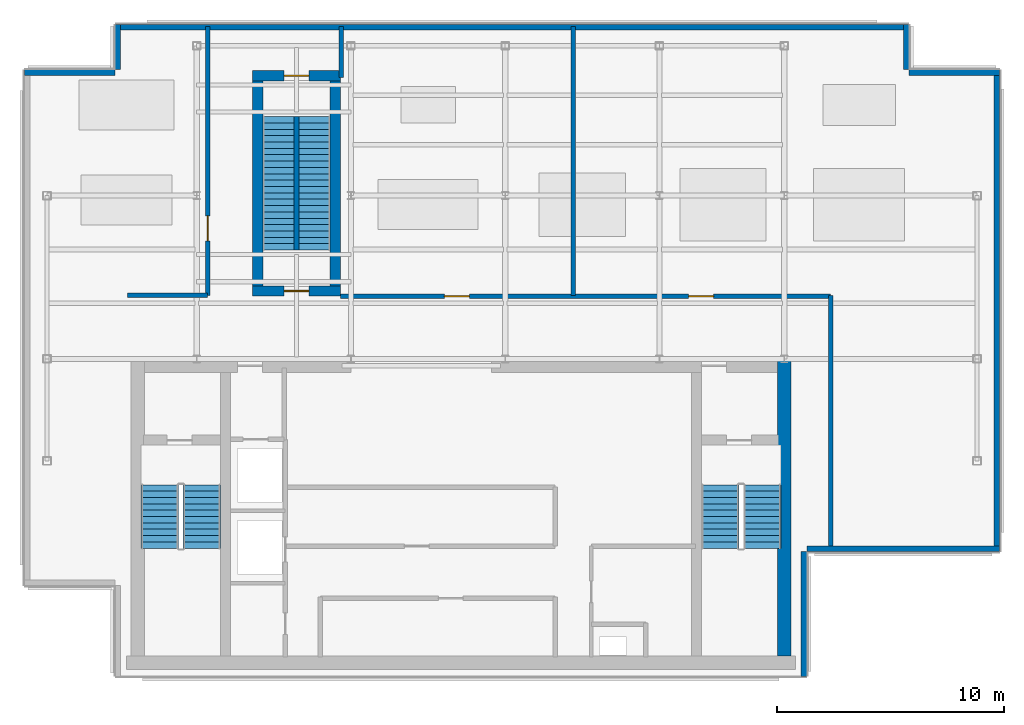
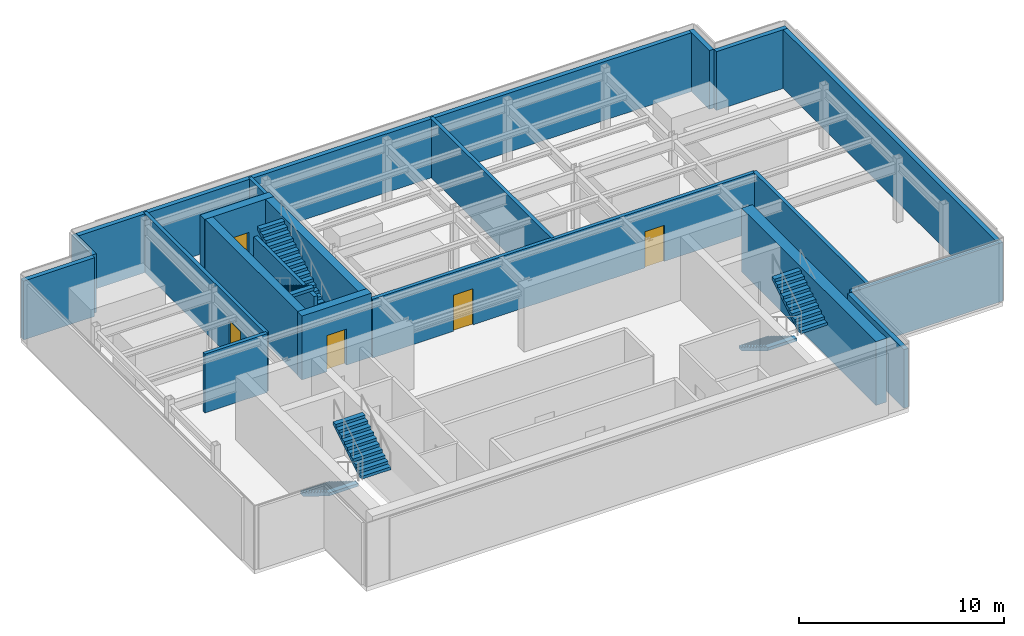
# One storey, part 3 of 7: 20 walls, 6 stair flights, 5 doors, 5 openings, 4 elements without a shape of their own.
"""IFC4 building model written with IfcOpenShell, lengths in metres."""

from ifc_helpers import new_model, si_unit, derived_unit, direction, frame, frame_2d, origin, place, context, subcontext, project, spatial, polyline, rectangle, outline, extrude, source, transform, mapped, material, layer, layer_set, type_object, element, fill, aggregate, save


model = new_model("IFC4")

# Units and contexts
model_context = context("Model", 3, precision=1e-05, world=origin(), true_north=direction((0.0, 1.0)))
body_context = subcontext(model_context, "Body", "Model", "MODEL_VIEW")
ifc_project = project(units=[si_unit("LENGTHUNIT", "METRE"), si_unit("AREAUNIT", "SQUARE_METRE"), si_unit("VOLUMEUNIT", "CUBIC_METRE"), si_unit("PLANEANGLEUNIT", "RADIAN"), si_unit("MASSUNIT", "GRAM", prefix="KILO"), derived_unit("THERMALTRANSMITTANCEUNIT", [(si_unit("POWERUNIT", "WATT"), 1), (si_unit("LENGTHUNIT", "METRE"), -2), (si_unit("THERMODYNAMICTEMPERATUREUNIT", "KELVIN"), -1)])], contexts=[model_context])

# Site, building, storey
site_placement = place(None, origin())
site = spatial("IfcSite", under=ifc_project, at=site_placement, CompositionType="ELEMENT")
building_placement = place(site_placement, origin())
building = spatial("IfcBuilding", under=site, at=building_placement, Name="Skarnbrae Concourse Arena and Tower", CompositionType="ELEMENT")
storey_placement = place(building_placement, frame((0.0, 0.0, 299.85009765625)))
storey = spatial("IfcBuildingStorey", under=building, at=storey_placement, Name="L78", CompositionType="ELEMENT", Elevation=299.85009765625)

# Walls
ifc_material_1 = material(Name="Concrete 50 MPa (C50/60)", Category="concrete")
ifc_layer_1 = layer(ifc_material_1, 0.60009765625)
ifc_layer_set_1 = layer_set([ifc_layer_1], Name="Concrete 50 MPa (C50/60)")
wall_type_1 = type_object("IfcWallType", Name="WALL-CORE-600-C50", PredefinedType="SHEAR", material=ifc_layer_set_1)
shared_shape_1 = source(origin(), body_context, "Body", "SweptSolid", [
    extrude(rectangle(XDim=13.10009765625, YDim=0.60009765625, at=frame_2d((6.550048828125, 0.0))), origin(), (0.0, 0.0, 1.0), 3.7998046875),
])
wall_1_placement = place(storey_placement, frame((33.5, 0.89990234375, 0.0), z_axis=(0.0, 0.0, 1.0), x_axis=(0.0, 1.0, 0.0)))
element("IfcWall", 1, at=wall_1_placement, inside=storey, type_object=wall_type_1, Name="L78 Rear core shear wall CW-E", PredefinedType="SHEAR", context=body_context, shape_type="MappedRepresentation", body=[
    mapped(shared_shape_1, transform((0.0, 0.0, 0.0))),
])
ifc_material_2 = material(Name="Precast concrete 40 MPa (C40/50)", Category="concrete")
ifc_layer_2 = layer(ifc_material_2, 0.25)
ifc_layer_set_2 = layer_set([ifc_layer_2], Name="Precast concrete 40 MPa (C40/50)")
wall_type_2 = type_object("IfcWallType", Name="WALL-CROWN-BRONZE-250", PredefinedType="STANDARD", material=ifc_layer_set_2)
shared_shape_2 = source(origin(), body_context, "Body", "SweptSolid", [
    extrude(rectangle(XDim=5.5, YDim=0.25, at=frame_2d((2.75, 0.0))), origin(), (0.0, 0.0, 1.0), 3.5),
])
wall_2_placement = place(storey_placement, frame((34.375, 0.0, 0.0), z_axis=(0.0, 0.0, 1.0), x_axis=(0.0, 1.0, 0.0)))
element("IfcWall", 2, at=wall_2_placement, inside=storey, type_object=wall_type_2, Name="L78 Crown enclosure wall 02", PredefinedType="STANDARD", context=body_context, shape_type="MappedRepresentation", body=[
    mapped(shared_shape_2, transform((0.0, 0.0, 0.0))),
])
shared_shape_3 = source(origin(), body_context, "Body", "SweptSolid", [
    extrude(rectangle(XDim=8.5, YDim=0.25, at=frame_2d((4.25, 0.0))), origin(), (0.0, 0.0, 1.0), 3.5),
])
wall_3_placement = place(storey_placement, frame((34.5, 5.625, 0.0), z_axis=(0.0, 0.0, 1.0), x_axis=(1.0, 0.0, 0.0)))
element("IfcWall", 3, at=wall_3_placement, inside=storey, type_object=wall_type_2, Name="L78 Crown enclosure wall 03", PredefinedType="STANDARD", context=body_context, shape_type="MappedRepresentation", body=[
    mapped(shared_shape_3, transform((0.0, 0.0, 0.0))),
])
shared_shape_4 = source(origin(), body_context, "Body", "SweptSolid", [
    extrude(rectangle(XDim=21.25, YDim=0.25, at=frame_2d((10.625, 0.0))), origin(), (0.0, 0.0, 1.0), 3.5),
])
wall_4_placement = place(storey_placement, frame((42.875, 5.5, 0.0), z_axis=(0.0, 0.0, 1.0), x_axis=(0.0, 1.0, 0.0)))
element("IfcWall", 4, at=wall_4_placement, inside=storey, type_object=wall_type_2, Name="L78 Crown enclosure wall 04", PredefinedType="STANDARD", context=body_context, shape_type="MappedRepresentation", body=[
    mapped(shared_shape_4, transform((0.0, 0.0, 0.0))),
])
shared_shape_5 = source(origin(), body_context, "Body", "SweptSolid", [
    extrude(rectangle(XDim=4.0, YDim=0.25, at=frame_2d((2.0, 0.0))), origin(), (0.0, 0.0, 1.0), 3.5),
])
for number, where, z_axis, x_axis, name in (
    (5, (43.0, 26.625, 0.0), (0.0, 0.0, 1.0), (-1.0, 0.0, 0.0), "L78 Crown enclosure wall 05"),
    (6, (4.0, 26.625, 0.0), (0.0, 0.0, 1.0), (-1.0, 0.0, 0.0), "L78 Crown enclosure wall 09"),
):
    element("IfcWall", number, at=place(storey_placement, frame(where, z_axis=z_axis, x_axis=x_axis)), inside=storey, type_object=wall_type_2, Name=name, PredefinedType="STANDARD", context=body_context, shape_type="MappedRepresentation", body=[
        mapped(shared_shape_5, transform((0.0, 0.0, 0.0))),
    ])
shared_shape_6 = source(origin(), body_context, "Body", "SweptSolid", [
    extrude(rectangle(XDim=2.0, YDim=0.25, at=frame_2d((1.0, 0.0))), origin(), (0.0, 0.0, 1.0), 3.5),
])
for number, where, z_axis, x_axis, name in (
    (7, (38.875, 26.75, 0.0), (0.0, 0.0, 1.0), (0.0, 1.0, 0.0), "L78 Crown enclosure wall 06"),
    (8, (4.125, 28.75, 0.0), (0.0, 0.0, 1.0), (0.0, -1.0, 0.0), "L78 Crown enclosure wall 08"),
):
    element("IfcWall", number, at=place(storey_placement, frame(where, z_axis=z_axis, x_axis=x_axis)), inside=storey, type_object=wall_type_2, Name=name, PredefinedType="STANDARD", context=body_context, shape_type="MappedRepresentation", body=[
        mapped(shared_shape_6, transform((0.0, 0.0, 0.0))),
    ])
shared_shape_7 = source(origin(), body_context, "Body", "SweptSolid", [
    extrude(rectangle(XDim=35.0, YDim=0.25, at=frame_2d((17.5, 0.0))), origin(), (0.0, 0.0, 1.0), 3.5),
])
wall_5_placement = place(storey_placement, frame((39.0, 28.625, 0.0), z_axis=(0.0, 0.0, 1.0), x_axis=(-1.0, 0.0, 0.0)))
element("IfcWall", 9, at=wall_5_placement, inside=storey, type_object=wall_type_2, Name="L78 Crown enclosure wall 07", PredefinedType="STANDARD", context=body_context, shape_type="MappedRepresentation", body=[
    mapped(shared_shape_7, transform((0.0, 0.0, 0.0))),
])
ifc_material_3 = material(Name="Gypsum board on cold-formed steel studs", Category="steel")
ifc_layer_3 = layer(ifc_material_3, 0.199951171875)
ifc_layer_set_3 = layer_set([ifc_layer_3], Name="Gypsum board on cold-formed steel studs")
wall_type_3 = type_object("IfcWallType", Name="WALL-PART-200-2HR", PredefinedType="PARTITIONING", material=ifc_layer_set_3)
shared_shape_8 = source(origin(), body_context, "Body", "SweptSolid", [
    extrude(rectangle(XDim=5.8798828125, YDim=0.199951171875, at=frame_2d((2.93994140625, 0.0))), origin(), (0.0, 0.0, 1.0), 3.079833984375),
])
wall_6_placement = place(storey_placement, frame((12.0, 18.800048828125, 0.0), z_axis=(0.0, 0.0, 1.0), x_axis=(0.0, 1.0, 0.0)))
element("IfcWall", 10, at=wall_6_placement, inside=storey, type_object=wall_type_3, Name="L78 Scissor stair dividing wall ST-CRWN", PredefinedType="PARTITIONING", context=body_context, shape_type="MappedRepresentation", body=[
    mapped(shared_shape_8, transform((0.0, 0.0, 0.0))),
])

# Wall, opening, door
ifc_layer_4 = layer(ifc_material_1, 0.449951171875)
ifc_layer_set_4 = layer_set([ifc_layer_4], Name="Concrete 50 MPa (C50/60)")
wall_type_4 = type_object("IfcWallType", Name="WALL-CORE-450-C50", PredefinedType="SHEAR", material=ifc_layer_set_4)
shared_shape_9 = source(origin(), body_context, "Body", "SweptSolid", [
    extrude(rectangle(XDim=3.89990234375, YDim=0.449951171875, at=frame_2d((1.949951171875, 0.0))), origin(), (0.0, 0.0, 1.0), 3.7998046875),
])
wall_7_placement = place(storey_placement, frame((10.050048828125, 16.9951171875, 0.0), z_axis=(0.0, 0.0, 1.0), x_axis=(1.0, 0.0, 0.0)))
wall_7 = element("IfcWall", 11, at=wall_7_placement, inside=storey, type_object=wall_type_4, Name="L78 Protected stair shaft wall ST-CRWN-S", PredefinedType="SHEAR", context=body_context, shape_type="MappedRepresentation", body=[
    mapped(shared_shape_9, transform((0.0, 0.0, 0.0))),
])
opening_1_placement = place(wall_7_placement, frame((1.39990234375, 0.0, 0.0)))
opening_1 = element("IfcOpeningElement", 12, at=opening_1_placement, cuts=wall_7, Name="Opening DT-03", PredefinedType="OPENING", context=body_context, shape_type="SweptSolid", body=[
    extrude(rectangle(XDim=1.10009765625, YDim=2.14990234375, at=frame_2d((0.550048828125, 1.074951171875))), frame((0.0, 0.23486328125, 0.0), z_axis=(0.0, -1.0, 0.0), x_axis=(1.0, 0.0, 0.0)), (0.0, 0.0, 1.0), 0.469970703125),
])
ifc_material_4 = material(Name="Steel CSA G40.21 350W", Category="steel")
door_type = type_object("IfcDoorType", Name="DOOR-FIRE-1100-90M", OperationType="NOTDEFINED", PredefinedType="DOOR", material=ifc_material_4)
shared_shape_10 = source(origin(), body_context, "Body", "SweptSolid", [
    extrude(rectangle(XDim=1.10009765625, YDim=2.14990234375, at=frame_2d((0.550048828125, 1.074951171875))), frame((0.0, 0.02490234375, 0.0), z_axis=(0.0, -1.0, 0.0), x_axis=(1.0, 0.0, 0.0)), (0.0, 0.0, 1.0), 0.050048828125),
])
door_1_placement = place(opening_1_placement, origin())
door_1 = element("IfcDoor", 13, at=door_1_placement, inside=storey, type_object=door_type, Name="D-2336 Exit Stair ST-CRWN Door", OperationType="SINGLE_SWING_LEFT", OverallHeight=2.14990234375, OverallWidth=1.10009765625, PredefinedType="DOOR", context=body_context, shape_type="MappedRepresentation", body=[
    mapped(shared_shape_10, transform((0.0, 0.0, 0.0))),
])
fill(opening_1, door_1)

wall_8_placement = place(storey_placement, frame((10.050048828125, 26.485107421875, 0.0), z_axis=(0.0, 0.0, 1.0), x_axis=(1.0, 0.0, 0.0)))
wall_8 = element("IfcWall", 14, at=wall_8_placement, inside=storey, type_object=wall_type_4, Name="L78 Protected stair shaft wall ST-CRWN-N", PredefinedType="SHEAR", context=body_context, shape_type="MappedRepresentation", body=[
    mapped(shared_shape_9, transform((0.0, 0.0, 0.0))),
])
opening_2_placement = place(wall_8_placement, frame((1.39990234375, 0.0, 0.0)))
opening_2 = element("IfcOpeningElement", 15, at=opening_2_placement, cuts=wall_8, Name="Opening DT-03", PredefinedType="OPENING", context=body_context, shape_type="SweptSolid", body=[
    extrude(rectangle(XDim=1.10009765625, YDim=2.14990234375, at=frame_2d((0.550048828125, 1.074951171875))), frame((0.0, 0.23486328125, 0.0), z_axis=(0.0, -1.0, 0.0), x_axis=(1.0, 0.0, 0.0)), (0.0, 0.0, 1.0), 0.469970703125),
])
door_2_placement = place(opening_2_placement, frame((1.10009765625, 0.0, 0.0), z_axis=(0.0, 0.0, 1.0), x_axis=(-1.0, 0.0, 0.0)))
door_2 = element("IfcDoor", 16, at=door_2_placement, inside=storey, type_object=door_type, Name="D-2337 Exit Stair ST-CRWN North Door", OperationType="SINGLE_SWING_RIGHT", OverallHeight=2.14990234375, OverallWidth=1.10009765625, PredefinedType="DOOR", context=body_context, shape_type="MappedRepresentation", body=[
    mapped(shared_shape_10, transform((0.0, 0.0, 0.0))),
])
fill(opening_2, door_2)

# Walls
shared_shape_11 = source(origin(), body_context, "Body", "SweptSolid", [
    extrude(rectangle(XDim=9.080078125, YDim=0.449951171875, at=frame_2d((4.5400390625, 0.0))), origin(), (0.0, 0.0, 1.0), 3.7998046875),
])
for number, where, z_axis, x_axis, name in (
    (17, (10.294921875, 17.199951171875, 0.0), (0.0, 0.0, 1.0), (0.0, 1.0, 0.0), "L78 Protected stair shaft wall ST-CRWN-W"),
    (18, (13.705078125, 17.199951171875, 0.0), (0.0, 0.0, 1.0), (0.0, 1.0, 0.0), "L78 Protected stair shaft wall ST-CRWN-E"),
):
    element("IfcWall", number, at=place(storey_placement, frame(where, z_axis=z_axis, x_axis=x_axis)), inside=storey, type_object=wall_type_4, Name=name, PredefinedType="SHEAR", context=body_context, shape_type="MappedRepresentation", body=[
        mapped(shared_shape_11, transform((0.0, 0.0, 0.0))),
    ])

# Wall, opening, door
shared_shape_12 = source(origin(), body_context, "Body", "SweptSolid", [
    extrude(rectangle(XDim=11.849853515625, YDim=0.199951171875, at=frame_2d((5.9248046875, 0.0))), origin(), (0.0, 0.0, 1.0), 3.5),
])
wall_9_placement = place(storey_placement, frame((8.080078125, 16.800048828125, 0.0), z_axis=(0.0, 0.0, 1.0), x_axis=(0.0, 1.0, 0.0)))
wall_9 = element("IfcWall", 19, at=wall_9_placement, inside=storey, type_object=wall_type_3, Name="L78 Interior partition wall W-L78-CW1", PredefinedType="PARTITIONING", context=body_context, shape_type="MappedRepresentation", body=[
    mapped(shared_shape_12, transform((0.0, 0.0, 0.0))),
])
opening_3_placement = place(wall_9_placement, frame((2.39990234375, 0.0, 0.0)))
opening_3 = element("IfcOpeningElement", 20, at=opening_3_placement, cuts=wall_9, Name="Opening DT-03", PredefinedType="OPENING", context=body_context, shape_type="SweptSolid", body=[
    extrude(rectangle(XDim=1.10009765625, YDim=2.14990234375, at=frame_2d((0.550048828125, 1.074951171875))), frame((0.0, 0.10986328125, 0.0), z_axis=(0.0, -1.0, 0.0), x_axis=(1.0, 0.0, 0.0)), (0.0, 0.0, 1.0), 0.219970703125),
])
door_3_placement = place(opening_3_placement, frame((1.10009765625, 0.0, 0.0), z_axis=(0.0, 0.0, 1.0), x_axis=(-1.0, 0.0, 0.0)))
door_3 = element("IfcDoor", 21, at=door_3_placement, inside=storey, type_object=door_type, Name="D-2333 L78 West Plant Door", OperationType="SINGLE_SWING_LEFT", OverallHeight=2.14990234375, OverallWidth=1.10009765625, PredefinedType="DOOR", context=body_context, shape_type="MappedRepresentation", body=[
    mapped(shared_shape_10, transform((0.0, 0.0, 0.0))),
])
fill(opening_3, door_3)

# Walls
wall_10_placement = place(storey_placement, frame((24.199951171875, 16.800048828125, 0.0), z_axis=(0.0, 0.0, 1.0), x_axis=(0.0, 1.0, 0.0)))
element("IfcWall", 22, at=wall_10_placement, inside=storey, type_object=wall_type_3, Name="L78 Interior partition wall W-L78-CM-242", PredefinedType="PARTITIONING", context=body_context, shape_type="MappedRepresentation", body=[
    mapped(shared_shape_12, transform((0.0, 0.0, 0.0))),
])
shared_shape_13 = source(origin(), body_context, "Body", "SweptSolid", [
    extrude(rectangle(XDim=3.530029296875, YDim=0.199951171875, at=frame_2d((1.76513671875, 0.0))), origin(), (0.0, 0.0, 1.0), 3.5),
])
wall_11_placement = place(storey_placement, frame((4.550048828125, 16.800048828125, 0.0), z_axis=(0.0, 0.0, 1.0), x_axis=(1.0, 0.0, 0.0)))
element("IfcWall", 23, at=wall_11_placement, inside=storey, type_object=wall_type_3, Name="L78 Interior partition wall W-L78-CW2", PredefinedType="PARTITIONING", context=body_context, shape_type="MappedRepresentation", body=[
    mapped(shared_shape_13, transform((0.0, 0.0, 0.0))),
])

# Wall, openings, doors
shared_shape_14 = source(origin(), body_context, "Body", "SweptSolid", [
    extrude(rectangle(XDim=21.60009765625, YDim=0.199951171875, at=frame_2d((10.800048828125, 0.0))), origin(), (0.0, 0.0, 1.0), 3.5),
])
wall_12_placement = place(storey_placement, frame((13.949951171875, 16.760009765625, 0.0), z_axis=(0.0, 0.0, 1.0), x_axis=(1.0, 0.0, 0.0)))
wall_12 = element("IfcWall", 24, at=wall_12_placement, inside=storey, type_object=wall_type_3, Name="L78 Interior partition wall W-L78-CE1", PredefinedType="PARTITIONING", context=body_context, shape_type="MappedRepresentation", body=[
    mapped(shared_shape_14, transform((0.0, 0.0, 0.0))),
])
opening_4_placement = place(wall_12_placement, frame((4.570068359375, 0.0, 0.0)))
opening_4 = element("IfcOpeningElement", 25, at=opening_4_placement, cuts=wall_12, Name="Opening DT-03", PredefinedType="OPENING", context=body_context, shape_type="SweptSolid", body=[
    extrude(rectangle(XDim=1.10009765625, YDim=2.14990234375, at=frame_2d((0.550048828125, 1.074951171875))), frame((0.0, 0.10986328125, 0.0), z_axis=(0.0, -1.0, 0.0), x_axis=(1.0, 0.0, 0.0)), (0.0, 0.0, 1.0), 0.219970703125),
])
opening_5_placement = place(wall_12_placement, frame((15.340087890625, 0.0, 0.0)))
opening_5 = element("IfcOpeningElement", 26, at=opening_5_placement, cuts=wall_12, Name="Opening DT-03", PredefinedType="OPENING", context=body_context, shape_type="SweptSolid", body=[
    extrude(rectangle(XDim=1.10009765625, YDim=2.14990234375, at=frame_2d((0.550048828125, 1.074951171875))), frame((0.0, 0.10986328125, 0.0), z_axis=(0.0, -1.0, 0.0), x_axis=(1.0, 0.0, 0.0)), (0.0, 0.0, 1.0), 0.219970703125),
])
door_4_placement = place(opening_4_placement, origin())
door_4 = element("IfcDoor", 27, at=door_4_placement, inside=storey, type_object=door_type, Name="D-2334 L78 Crown Water Tank Mechanical Plant Door", OperationType="SINGLE_SWING_LEFT", OverallHeight=2.14990234375, OverallWidth=1.10009765625, PredefinedType="DOOR", context=body_context, shape_type="MappedRepresentation", body=[
    mapped(shared_shape_10, transform((0.0, 0.0, 0.0))),
])
fill(opening_4, door_4)
door_5_placement = place(opening_5_placement, origin())
door_5 = element("IfcDoor", 28, at=door_5_placement, inside=storey, type_object=door_type, Name="D-2335 L78 Crown Cooling Tower Mechanical Plant Door", OperationType="SINGLE_SWING_RIGHT", OverallHeight=2.14990234375, OverallWidth=1.10009765625, PredefinedType="DOOR", context=body_context, shape_type="MappedRepresentation", body=[
    mapped(shared_shape_10, transform((0.0, 0.0, 0.0))),
])
fill(opening_5, door_5)

# Walls
shared_shape_15 = source(origin(), body_context, "Body", "SweptSolid", [
    extrude(rectangle(XDim=2.25, YDim=0.199951171875, at=frame_2d((1.125, 0.0))), origin(), (0.0, 0.0, 1.0), 3.5),
])
wall_13_placement = place(storey_placement, frame((13.97998046875, 26.39990234375, 0.0), z_axis=(0.0, 0.0, 1.0), x_axis=(0.0, 1.0, 0.0)))
element("IfcWall", 29, at=wall_13_placement, inside=storey, type_object=wall_type_3, Name="L78 Interior partition wall W-L78-DN", PredefinedType="PARTITIONING", context=body_context, shape_type="MappedRepresentation", body=[
    mapped(shared_shape_15, transform((0.0, 0.0, 0.0))),
])
shared_shape_16 = source(origin(), body_context, "Body", "SweptSolid", [
    extrude(rectangle(XDim=11.25, YDim=0.199951171875, at=frame_2d((5.625, 0.0))), origin(), (0.0, 0.0, 1.0), 3.5),
])
wall_14_placement = place(storey_placement, frame((35.550048828125, 5.550048828125, 0.0), z_axis=(0.0, 0.0, 1.0), x_axis=(0.0, 1.0, 0.0)))
element("IfcWall", 30, at=wall_14_placement, inside=storey, type_object=wall_type_3, Name="L78 Interior partition wall W-L78-CE2", PredefinedType="PARTITIONING", context=body_context, shape_type="MappedRepresentation", body=[
    mapped(shared_shape_16, transform((0.0, 0.0, 0.0))),
])

# Stair, stair flights
ifc_material_5 = material(Name="Concrete 40 MPa (C40/50)", Category="concrete")
stair_type_1 = type_object("IfcStairType", Name="STAIR-DOGLEG-1650", PredefinedType="HALF_TURN_STAIR", material=ifc_material_5)
stair_1_placement = place(storey_placement, origin())
stair_1 = element("IfcStair", 31, at=stair_1_placement, inside=storey, type_object=stair_type_1, Name="L78 Protected Exit Stair ST-1", PredefinedType="HALF_TURN_STAIR")
stair_flight_type_1 = type_object("IfcStairFlightType", Name="FLIGHT-STRAIGHT-1650", PredefinedType="STRAIGHT", material=ifc_material_5)
shared_shape_17 = source(origin(), body_context, "Body", "SweptSolid", [
    extrude(outline(polyline([(0.0, 0.0), (0.0, 0.172607421875), (0.280029296875, 0.172607421875), (0.280029296875, 0.345458984375), (0.56005859375, 0.345458984375), (0.56005859375, 0.51806640625), (0.840087890625, 0.51806640625), (0.840087890625, 0.69091796875), (1.1201171875, 0.69091796875), (1.1201171875, 0.863525390625), (1.39990234375, 0.863525390625), (1.39990234375, 1.036376953125), (1.679931640625, 1.036376953125), (1.679931640625, 1.208984375), (1.9599609375, 1.208984375), (1.9599609375, 1.3818359375), (2.239990234375, 1.3818359375), (2.239990234375, 1.554443359375), (2.52001953125, 1.554443359375), (2.52001953125, 1.727294921875), (2.800048828125, 1.727294921875), (2.800048828125, 1.89990234375), (2.800048828125, 1.551025390625), (0.285400390625, 0.0), (0.0, 0.0)])), frame((0.0, 0.824951171875, 0.0), z_axis=(0.0, -1.0, 0.0), x_axis=(1.0, 0.0, 0.0)), (0.0, 0.0, 1.0), 1.64990234375),
])
stair_flight_1_placement = place(storey_placement, frame((5.97509765625, 8.449951171875, 0.0), z_axis=(0.0, 0.0, 1.0), x_axis=(0.0, -1.0, 0.0)))
stair_flight_1 = element("IfcStairFlight", 32, at=stair_flight_1_placement, type_object=stair_flight_type_1, Name="ST-1 flight 1", NumberOfRisers=11, NumberOfTreads=10, PredefinedType="STRAIGHT", RiserHeight=0.172727273, TreadLength=0.28, context=body_context, shape_type="MappedRepresentation", body=[
    mapped(shared_shape_17, transform((0.0, 0.0, 0.0))),
])
stair_flight_2_placement = place(storey_placement, frame((7.824951171875, 5.64990234375, 1.89990234375), z_axis=(0.0, 0.0, 1.0), x_axis=(0.0, 1.0, 0.0)))
stair_flight_2 = element("IfcStairFlight", 33, at=stair_flight_2_placement, type_object=stair_flight_type_1, Name="ST-1 flight 2", NumberOfRisers=11, NumberOfTreads=10, PredefinedType="STRAIGHT", RiserHeight=0.172727273, TreadLength=0.28, context=body_context, shape_type="MappedRepresentation", body=[
    mapped(shared_shape_17, transform((0.0, 0.0, 0.0))),
])
aggregate(stair_1, [stair_flight_1, stair_flight_2])

stair_2_placement = place(storey_placement, origin())
stair_2 = element("IfcStair", 34, at=stair_2_placement, inside=storey, type_object=stair_type_1, Name="L78 Protected Exit Stair ST-2", PredefinedType="HALF_TURN_STAIR")
stair_flight_3_placement = place(storey_placement, frame((30.675048828125, 8.449951171875, 0.0), z_axis=(0.0, 0.0, 1.0), x_axis=(0.0, -1.0, 0.0)))
stair_flight_3 = element("IfcStairFlight", 35, at=stair_flight_3_placement, type_object=stair_flight_type_1, Name="ST-2 flight 1", NumberOfRisers=11, NumberOfTreads=10, PredefinedType="STRAIGHT", RiserHeight=0.172727273, TreadLength=0.28, context=body_context, shape_type="MappedRepresentation", body=[
    mapped(shared_shape_17, transform((0.0, 0.0, 0.0))),
])
stair_flight_4_placement = place(storey_placement, frame((32.52490234375, 5.64990234375, 1.89990234375), z_axis=(0.0, 0.0, 1.0), x_axis=(0.0, 1.0, 0.0)))
stair_flight_4 = element("IfcStairFlight", 36, at=stair_flight_4_placement, type_object=stair_flight_type_1, Name="ST-2 flight 2", NumberOfRisers=11, NumberOfTreads=10, PredefinedType="STRAIGHT", RiserHeight=0.172727273, TreadLength=0.28, context=body_context, shape_type="MappedRepresentation", body=[
    mapped(shared_shape_17, transform((0.0, 0.0, 0.0))),
])
aggregate(stair_2, [stair_flight_3, stair_flight_4])

# Stair, stair flight
stair_type_2 = type_object("IfcStairType", Name="STAIR-SCISSOR-1400", PredefinedType="USERDEFINED", material=ifc_material_5)
stair_3_placement = place(storey_placement, origin())
stair_3 = element("IfcStair", 37, at=stair_3_placement, inside=storey, type_object=stair_type_2, Name="L78 Crown Service Scissor Stair A", ObjectType="SCISSOR", PredefinedType="USERDEFINED")
stair_flight_type_2 = type_object("IfcStairFlightType", Name="FLIGHT-STRAIGHT-1400", PredefinedType="STRAIGHT", material=ifc_material_5)
shared_shape_18 = source(origin(), body_context, "Body", "SweptSolid", [
    extrude(outline(polyline([(0.0, 0.0), (0.0, 0.172607421875), (0.280029296875, 0.172607421875), (0.280029296875, 0.345458984375), (0.56005859375, 0.345458984375), (0.56005859375, 0.51806640625), (0.840087890625, 0.51806640625), (0.840087890625, 0.69091796875), (1.1201171875, 0.69091796875), (1.1201171875, 0.863525390625), (1.39990234375, 0.863525390625), (1.39990234375, 1.036376953125), (1.679931640625, 1.036376953125), (1.679931640625, 1.208984375), (1.9599609375, 1.208984375), (1.9599609375, 1.3818359375), (2.239990234375, 1.3818359375), (2.239990234375, 1.554443359375), (2.52001953125, 1.554443359375), (2.52001953125, 1.727294921875), (2.800048828125, 1.727294921875), (2.800048828125, 1.89990234375), (3.080078125, 1.89990234375), (3.080078125, 2.07275390625), (3.360107421875, 2.07275390625), (3.360107421875, 2.245361328125), (3.639892578125, 2.245361328125), (3.639892578125, 2.418212890625), (3.919921875, 2.418212890625), (3.919921875, 2.5908203125), (4.199951171875, 2.5908203125), (4.199951171875, 2.763671875), (4.47998046875, 2.763671875), (4.47998046875, 2.936279296875), (4.760009765625, 2.936279296875), (4.760009765625, 3.109130859375), (5.0400390625, 3.109130859375), (5.0400390625, 3.28173828125), (5.320068359375, 3.28173828125), (5.320068359375, 3.45458984375), (5.60009765625, 3.45458984375), (5.60009765625, 3.627197265625), (5.8798828125, 3.627197265625), (5.8798828125, 3.800048828125), (5.8798828125, 3.451171875), (0.285400390625, 0.0), (0.0, 0.0)])), frame((0.0, 0.699951171875, 0.0), z_axis=(0.0, -1.0, 0.0), x_axis=(1.0, 0.0, 0.0)), (0.0, 0.0, 1.0), 1.39990234375),
])
stair_flight_5_placement = place(storey_placement, frame((12.800048828125, 18.800048828125, 0.0), z_axis=(0.0, 0.0, 1.0), x_axis=(0.0, 1.0, 0.0)))
stair_flight_5 = element("IfcStairFlight", 38, at=stair_flight_5_placement, type_object=stair_flight_type_2, Name="ST-CRWNA flight 1", NumberOfRisers=22, NumberOfTreads=21, PredefinedType="STRAIGHT", RiserHeight=0.172727273, TreadLength=0.28, context=body_context, shape_type="MappedRepresentation", body=[
    mapped(shared_shape_18, transform((0.0, 0.0, 0.0))),
])
aggregate(stair_3, [stair_flight_5])

stair_4_placement = place(storey_placement, origin())
stair_4 = element("IfcStair", 39, at=stair_4_placement, inside=storey, type_object=stair_type_2, Name="L78 Crown Service Scissor Stair B", ObjectType="SCISSOR", PredefinedType="USERDEFINED")
stair_flight_6_placement = place(storey_placement, frame((11.199951171875, 24.679931640625, 0.0), z_axis=(0.0, 0.0, 1.0), x_axis=(0.0, -1.0, 0.0)))
stair_flight_6 = element("IfcStairFlight", 40, at=stair_flight_6_placement, type_object=stair_flight_type_2, Name="ST-CRWNB flight 1", NumberOfRisers=22, NumberOfTreads=21, PredefinedType="STRAIGHT", RiserHeight=0.172727273, TreadLength=0.28, context=body_context, shape_type="MappedRepresentation", body=[
    mapped(shared_shape_18, transform((0.0, 0.0, 0.0))),
])
aggregate(stair_4, [stair_flight_6])

save(model, "model.ifc")
